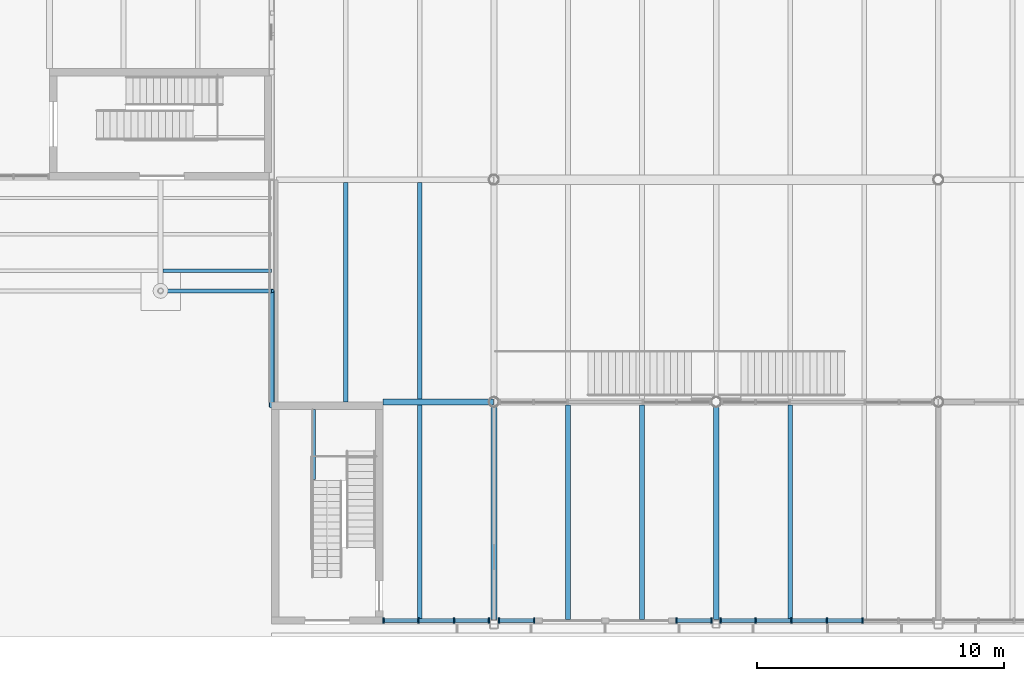
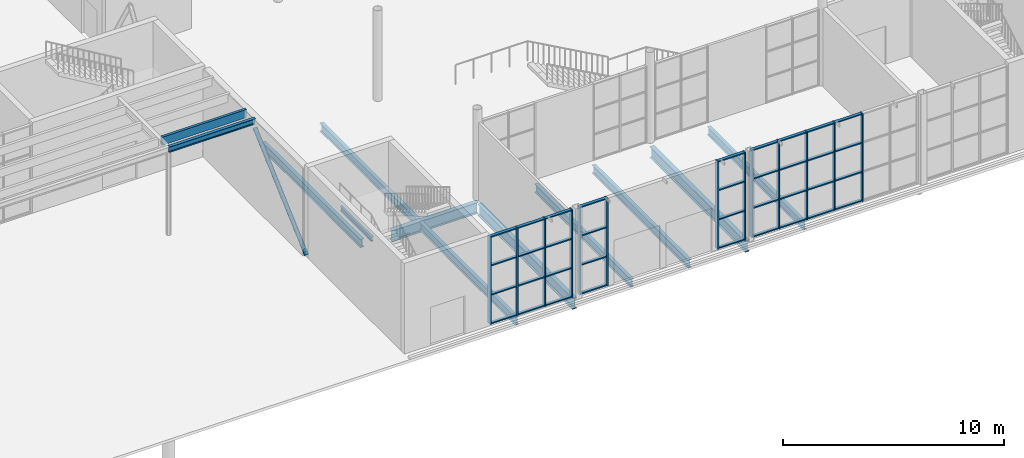
# One storey, part 20 of 63: 50 members, 12 beams, 4 elements without a shape of their own.
"""IFC4 building model written with IfcOpenShell, lengths in metres."""

from ifc_helpers import new_model, si_unit, direction, frame, origin, origin_2d, place, context, subcontext, project, spatial, rectangle, hollow_circle, i_section, extrude, material, layer, layer_set, material_profile, profile_set, type_object, element, aggregate, save


model = new_model("IFC4")

# Units and contexts
model_context = context("Model", 3, precision=1e-05, world=origin(), true_north=direction((0.0, 1.0)))
body_context = subcontext(model_context, "Body", "Model", "MODEL_VIEW")
ifc_project = project(units=[si_unit("LENGTHUNIT", "METRE"), si_unit("AREAUNIT", "SQUARE_METRE"), si_unit("VOLUMEUNIT", "CUBIC_METRE"), si_unit("PLANEANGLEUNIT", "RADIAN"), si_unit("MASSUNIT", "GRAM", prefix="KILO")], contexts=[model_context])

# Site, building, storey
site_placement = place(None, origin())
site = spatial("IfcSite", under=ifc_project, at=site_placement, CompositionType="ELEMENT")
building_placement = place(site_placement, origin())
building = spatial("IfcBuilding", under=site, at=building_placement, Name="Halyard Row Museum", CompositionType="ELEMENT")
storey_placement = place(building_placement, origin())
storey = spatial("IfcBuildingStorey", under=building, at=storey_placement, Name="L00", CompositionType="ELEMENT", Elevation=0.0)

# Member
ifc_material_1 = material(Name="Steel Grade C350L0", Category="steel")
ifc_material_profile_1 = material_profile(ifc_material_1, hollow_circle(Radius=0.109619140625, WallThickness=0.00830078125, at=origin_2d()), Name="219.1x8.2CHS")
ifc_profile_set_1 = profile_set([ifc_material_profile_1], Name="Steel Grade C350L0")
member_type_1 = type_object("IfcMemberType", Name="Brace 219.1x8.2CHS", PredefinedType="BRACE", material=ifc_profile_set_1)
member_1_placement = place(storey_placement, frame((72.0, 8.830078125, 0.109619140625), z_axis=(0.0, 0.744148559148, 0.668014162962), x_axis=(-1.0, 0.0, 0.0)))
element("IfcMember", 1, at=member_1_placement, inside=storey, type_object=member_type_1, Name="Brace L00 X72 9-18 A", PredefinedType="BRACE", context=body_context, shape_type="SweptSolid", body=[
    extrude(hollow_circle(Radius=0.109619140625, WallThickness=0.00830078125, at=origin_2d()), origin(), (0.0, 0.0, 1.0), 6.275634765625),
])

# Beams
ifc_material_2 = material(Name="Steel Grade 300", Category="steel")
ifc_material_profile_2 = material_profile(ifc_material_2, i_section(OverallWidth=0.166015625, OverallDepth=0.30712890625, WebThickness=0.006591796875, FlangeThickness=0.01171875, FilletRadius=0.011474609375, at=origin_2d()), Name="310UB46.2")
ifc_profile_set_2 = profile_set([ifc_material_profile_2], Name="Steel Grade 300")
beam_type_1 = type_object("IfcBeamType", Name="Canopy edge beam 310UB46.2", PredefinedType="BEAM", material=ifc_profile_set_2)
beam_1_placement = place(storey_placement, frame((67.5, 13.5, 4.6962890625), z_axis=(1.0, 0.0, 0.0), x_axis=(0.0, 1.0, 0.0)))
element("IfcBeam", 2, at=beam_1_placement, inside=storey, type_object=beam_type_1, Name="Canopy edge beam 6", PredefinedType="BEAM", context=body_context, shape_type="SweptSolid", body=[
    extrude(i_section(OverallWidth=0.166015625, OverallDepth=0.30712890625, WebThickness=0.006591796875, FlangeThickness=0.01171875, FilletRadius=0.011474609375, at=origin_2d()), origin(), (0.0, 0.0, 1.0), 4.5),
])
ifc_material_3 = material(Name="Glulam GL12 radiata pine", Category="wood")
ifc_material_profile_3 = material_profile(ifc_material_3, rectangle(XDim=0.135009765625, YDim=0.449951171875, at=origin_2d()), Name="GL12 135x450")
ifc_profile_set_3 = profile_set([ifc_material_profile_3], Name="Glulam GL12 radiata pine")
beam_type_2 = type_object("IfcBeamType", Name="Canopy soffit joist GL12 135x450", PredefinedType="JOIST", material=ifc_profile_set_3)
beam_2_placement = place(storey_placement, frame((67.594970703125, 14.319091796875, 4.625), z_axis=(1.0, 0.0, 0.0), x_axis=(0.0, 1.0, 0.0)))
element("IfcBeam", 3, at=beam_2_placement, inside=storey, type_object=beam_type_2, Name="Canopy soffit joist 6.1", PredefinedType="JOIST", context=body_context, shape_type="SweptSolid", body=[
    extrude(rectangle(XDim=0.135009765625, YDim=0.449951171875, at=origin_2d()), origin(), (0.0, 0.0, 1.0), 4.405029296875),
])

# Curtain wall, members
ifc_material_4 = material(Name="Double glazed unit, low-emissivity", Category="glass")
ifc_layer = layer(ifc_material_4, 0.219970703125)
ifc_layer_set = layer_set([ifc_layer], Name="Double glazed unit, low-emissivity")
curtain_wall_type = type_object("IfcCurtainWallType", Name="Curtain wall unitised 220 deep", PredefinedType="NOTDEFINED", material=ifc_layer_set)
curtain_wall_1_placement = place(storey_placement, origin())
curtain_wall_1 = element("IfcCurtainWall", 4, at=curtain_wall_1_placement, inside=storey, type_object=curtain_wall_type, Name="Curtain wall CW001", PredefinedType="NOTDEFINED")
ifc_material_5 = material(Name="Powder-coated aluminium section", Category="aluminium")
ifc_material_profile_4 = material_profile(ifc_material_5, rectangle(XDim=0.219970703125, YDim=0.06005859375, at=origin_2d()), Name="220x60 mullion")
ifc_profile_set_4 = profile_set([ifc_material_profile_4], Name="Powder-coated aluminium section")
member_type_2 = type_object("IfcMemberType", Name="Curtain wall mullion CM3 60 x 220", PredefinedType="MULLION", material=ifc_profile_set_4)
member_2_placement = place(storey_placement, frame((76.530029296875, 0.159912109375, 0.0), z_axis=(0.0, 0.0, 1.0), x_axis=(0.0, 1.0, 0.0)))
member_2 = element("IfcMember", 5, at=member_2_placement, type_object=member_type_2, Name="CW001 mullion 1", PredefinedType="MULLION", context=body_context, shape_type="SweptSolid", body=[
    extrude(rectangle(XDim=0.219970703125, YDim=0.06005859375, at=origin_2d()), origin(), (0.0, 0.0, 1.0), 4.8349609375),
])
member_3_placement = place(storey_placement, frame((77.941650390625, 0.159912109375, 0.0), z_axis=(0.0, 0.0, 1.0), x_axis=(0.0, 1.0, 0.0)))
member_3 = element("IfcMember", 6, at=member_3_placement, type_object=member_type_2, Name="CW001 mullion 2", PredefinedType="MULLION", context=body_context, shape_type="SweptSolid", body=[
    extrude(rectangle(XDim=0.219970703125, YDim=0.06005859375, at=origin_2d()), origin(), (0.0, 0.0, 1.0), 4.8349609375),
])
member_4_placement = place(storey_placement, frame((79.38330078125, 0.159912109375, 0.0), z_axis=(0.0, 0.0, 1.0), x_axis=(0.0, 1.0, 0.0)))
member_4 = element("IfcMember", 7, at=member_4_placement, type_object=member_type_2, Name="CW001 mullion 3", PredefinedType="MULLION", context=body_context, shape_type="SweptSolid", body=[
    extrude(rectangle(XDim=0.219970703125, YDim=0.06005859375, at=origin_2d()), origin(), (0.0, 0.0, 1.0), 4.8349609375),
])
member_5_placement = place(storey_placement, frame((80.794921875, 0.159912109375, 0.0), z_axis=(0.0, 0.0, 1.0), x_axis=(0.0, 1.0, 0.0)))
member_5 = element("IfcMember", 8, at=member_5_placement, type_object=member_type_2, Name="CW001 mullion 4", PredefinedType="MULLION", context=body_context, shape_type="SweptSolid", body=[
    extrude(rectangle(XDim=0.219970703125, YDim=0.06005859375, at=origin_2d()), origin(), (0.0, 0.0, 1.0), 4.8349609375),
])

curtain_wall_2_placement = place(storey_placement, origin())
curtain_wall_2 = element("IfcCurtainWall", 9, at=curtain_wall_2_placement, inside=storey, type_object=curtain_wall_type, Name="Curtain wall CW002", PredefinedType="NOTDEFINED")
member_6_placement = place(storey_placement, frame((81.205078125, 0.159912109375, 0.0), z_axis=(0.0, 0.0, 1.0), x_axis=(0.0, 1.0, 0.0)))
member_6 = element("IfcMember", 10, at=member_6_placement, type_object=member_type_2, Name="CW002 mullion 1", PredefinedType="MULLION", context=body_context, shape_type="SweptSolid", body=[
    extrude(rectangle(XDim=0.219970703125, YDim=0.06005859375, at=origin_2d()), origin(), (0.0, 0.0, 1.0), 4.8349609375),
])
member_7_placement = place(storey_placement, frame((82.632568359375, 0.159912109375, 0.0), z_axis=(0.0, 0.0, 1.0), x_axis=(0.0, 1.0, 0.0)))
member_7 = element("IfcMember", 11, at=member_7_placement, type_object=member_type_2, Name="CW002 mullion 2", PredefinedType="MULLION", context=body_context, shape_type="SweptSolid", body=[
    extrude(rectangle(XDim=0.219970703125, YDim=0.06005859375, at=origin_2d()), origin(), (0.0, 0.0, 1.0), 4.8349609375),
])

curtain_wall_3_placement = place(storey_placement, origin())
curtain_wall_3 = element("IfcCurtainWall", 12, at=curtain_wall_3_placement, inside=storey, type_object=curtain_wall_type, Name="Curtain wall CW003", PredefinedType="NOTDEFINED")
member_8_placement = place(storey_placement, frame((88.392578125, 0.159912109375, 0.0), z_axis=(0.0, 0.0, 1.0), x_axis=(0.0, 1.0, 0.0)))
member_8 = element("IfcMember", 13, at=member_8_placement, type_object=member_type_2, Name="CW003 mullion 1", PredefinedType="MULLION", context=body_context, shape_type="SweptSolid", body=[
    extrude(rectangle(XDim=0.219970703125, YDim=0.06005859375, at=origin_2d()), origin(), (0.0, 0.0, 1.0), 4.8349609375),
])
member_9_placement = place(storey_placement, frame((89.820068359375, 0.159912109375, 0.0), z_axis=(0.0, 0.0, 1.0), x_axis=(0.0, 1.0, 0.0)))
member_9 = element("IfcMember", 14, at=member_9_placement, type_object=member_type_2, Name="CW003 mullion 2", PredefinedType="MULLION", context=body_context, shape_type="SweptSolid", body=[
    extrude(rectangle(XDim=0.219970703125, YDim=0.06005859375, at=origin_2d()), origin(), (0.0, 0.0, 1.0), 4.8349609375),
])

curtain_wall_4_placement = place(storey_placement, origin())
curtain_wall_4 = element("IfcCurtainWall", 15, at=curtain_wall_4_placement, inside=storey, type_object=curtain_wall_type, Name="Curtain wall CW004", PredefinedType="NOTDEFINED")
member_10_placement = place(storey_placement, frame((90.179931640625, 0.159912109375, 0.0), z_axis=(0.0, 0.0, 1.0), x_axis=(0.0, 1.0, 0.0)))
member_10 = element("IfcMember", 16, at=member_10_placement, type_object=member_type_2, Name="CW004 mullion 1", PredefinedType="MULLION", context=body_context, shape_type="SweptSolid", body=[
    extrude(rectangle(XDim=0.219970703125, YDim=0.06005859375, at=origin_2d()), origin(), (0.0, 0.0, 1.0), 4.8349609375),
])
member_11_placement = place(storey_placement, frame((91.595947265625, 0.159912109375, 0.0), z_axis=(0.0, 0.0, 1.0), x_axis=(0.0, 1.0, 0.0)))
member_11 = element("IfcMember", 17, at=member_11_placement, type_object=member_type_2, Name="CW004 mullion 2", PredefinedType="MULLION", context=body_context, shape_type="SweptSolid", body=[
    extrude(rectangle(XDim=0.219970703125, YDim=0.06005859375, at=origin_2d()), origin(), (0.0, 0.0, 1.0), 4.8349609375),
])
member_12_placement = place(storey_placement, frame((93.041748046875, 0.159912109375, 0.0), z_axis=(0.0, 0.0, 1.0), x_axis=(0.0, 1.0, 0.0)))
member_12 = element("IfcMember", 18, at=member_12_placement, type_object=member_type_2, Name="CW004 mullion 3", PredefinedType="MULLION", context=body_context, shape_type="SweptSolid", body=[
    extrude(rectangle(XDim=0.219970703125, YDim=0.06005859375, at=origin_2d()), origin(), (0.0, 0.0, 1.0), 4.8349609375),
])
member_13_placement = place(storey_placement, frame((94.487548828125, 0.159912109375, 0.0), z_axis=(0.0, 0.0, 1.0), x_axis=(0.0, 1.0, 0.0)))
member_13 = element("IfcMember", 19, at=member_13_placement, type_object=member_type_2, Name="CW004 mullion 4", PredefinedType="MULLION", context=body_context, shape_type="SweptSolid", body=[
    extrude(rectangle(XDim=0.219970703125, YDim=0.06005859375, at=origin_2d()), origin(), (0.0, 0.0, 1.0), 4.8349609375),
])
member_14_placement = place(storey_placement, frame((95.933349609375, 0.159912109375, 0.0), z_axis=(0.0, 0.0, 1.0), x_axis=(0.0, 1.0, 0.0)))
member_14 = element("IfcMember", 20, at=member_14_placement, type_object=member_type_2, Name="CW004 mullion 5", PredefinedType="MULLION", context=body_context, shape_type="SweptSolid", body=[
    extrude(rectangle(XDim=0.219970703125, YDim=0.06005859375, at=origin_2d()), origin(), (0.0, 0.0, 1.0), 4.8349609375),
])

# Member
ifc_material_6 = material(Name="Powder-coated aluminium section", Category="aluminium")
ifc_material_profile_5 = material_profile(ifc_material_6, rectangle(XDim=0.159912109375, YDim=0.06005859375, at=origin_2d()), Name="160x60 transom")
ifc_profile_set_5 = profile_set([ifc_material_profile_5], Name="Powder-coated aluminium section")
member_type_3 = type_object("IfcMemberType", Name="Curtain wall transom CT3 60 x 160", PredefinedType="USERDEFINED", material=ifc_profile_set_5)
member_15_placement = place(storey_placement, frame((76.56005859375, 0.159912109375, 0.030029296875), z_axis=(1.0, 0.0, 0.0), x_axis=(0.0, 1.0, 0.0)))
member_15 = element("IfcMember", 21, at=member_15_placement, type_object=member_type_3, Name="CW001 transom 1.1", ObjectType="TRANSOM", PredefinedType="USERDEFINED", context=body_context, shape_type="SweptSolid", body=[
    extrude(rectangle(XDim=0.159912109375, YDim=0.06005859375, at=origin_2d()), origin(), (0.0, 0.0, 1.0), 1.3515625),
])

member_16_placement = place(storey_placement, frame((76.56005859375, 0.159912109375, 1.611572265625), z_axis=(1.0, 0.0, 0.0), x_axis=(0.0, 1.0, 0.0)))
member_16 = element("IfcMember", 22, at=member_16_placement, type_object=member_type_3, Name="CW001 transom 1.2", ObjectType="TRANSOM", PredefinedType="USERDEFINED", context=body_context, shape_type="SweptSolid", body=[
    extrude(rectangle(XDim=0.159912109375, YDim=0.06005859375, at=origin_2d()), origin(), (0.0, 0.0, 1.0), 1.3515625),
])

member_17_placement = place(storey_placement, frame((76.56005859375, 0.159912109375, 3.223388671875), z_axis=(1.0, 0.0, 0.0), x_axis=(0.0, 1.0, 0.0)))
member_17 = element("IfcMember", 23, at=member_17_placement, type_object=member_type_3, Name="CW001 transom 1.3", ObjectType="TRANSOM", PredefinedType="USERDEFINED", context=body_context, shape_type="SweptSolid", body=[
    extrude(rectangle(XDim=0.159912109375, YDim=0.06005859375, at=origin_2d()), origin(), (0.0, 0.0, 1.0), 1.3515625),
])

member_18_placement = place(storey_placement, frame((76.56005859375, 0.159912109375, 4.804931640625), z_axis=(1.0, 0.0, 0.0), x_axis=(0.0, 1.0, 0.0)))
member_18 = element("IfcMember", 24, at=member_18_placement, type_object=member_type_3, Name="CW001 transom 1.4", ObjectType="TRANSOM", PredefinedType="USERDEFINED", context=body_context, shape_type="SweptSolid", body=[
    extrude(rectangle(XDim=0.159912109375, YDim=0.06005859375, at=origin_2d()), origin(), (0.0, 0.0, 1.0), 1.3515625),
])

member_19_placement = place(storey_placement, frame((77.9716796875, 0.159912109375, 0.030029296875), z_axis=(1.0, 0.0, 0.0), x_axis=(0.0, 1.0, 0.0)))
member_19 = element("IfcMember", 25, at=member_19_placement, type_object=member_type_3, Name="CW001 transom 2.1", ObjectType="TRANSOM", PredefinedType="USERDEFINED", context=body_context, shape_type="SweptSolid", body=[
    extrude(rectangle(XDim=0.159912109375, YDim=0.06005859375, at=origin_2d()), origin(), (0.0, 0.0, 1.0), 1.381591796875),
])

member_20_placement = place(storey_placement, frame((77.9716796875, 0.159912109375, 1.611572265625), z_axis=(1.0, 0.0, 0.0), x_axis=(0.0, 1.0, 0.0)))
member_20 = element("IfcMember", 26, at=member_20_placement, type_object=member_type_3, Name="CW001 transom 2.2", ObjectType="TRANSOM", PredefinedType="USERDEFINED", context=body_context, shape_type="SweptSolid", body=[
    extrude(rectangle(XDim=0.159912109375, YDim=0.06005859375, at=origin_2d()), origin(), (0.0, 0.0, 1.0), 1.381591796875),
])

member_21_placement = place(storey_placement, frame((77.9716796875, 0.159912109375, 3.223388671875), z_axis=(1.0, 0.0, 0.0), x_axis=(0.0, 1.0, 0.0)))
member_21 = element("IfcMember", 27, at=member_21_placement, type_object=member_type_3, Name="CW001 transom 2.3", ObjectType="TRANSOM", PredefinedType="USERDEFINED", context=body_context, shape_type="SweptSolid", body=[
    extrude(rectangle(XDim=0.159912109375, YDim=0.06005859375, at=origin_2d()), origin(), (0.0, 0.0, 1.0), 1.381591796875),
])

member_22_placement = place(storey_placement, frame((77.9716796875, 0.159912109375, 4.804931640625), z_axis=(1.0, 0.0, 0.0), x_axis=(0.0, 1.0, 0.0)))
member_22 = element("IfcMember", 28, at=member_22_placement, type_object=member_type_3, Name="CW001 transom 2.4", ObjectType="TRANSOM", PredefinedType="USERDEFINED", context=body_context, shape_type="SweptSolid", body=[
    extrude(rectangle(XDim=0.159912109375, YDim=0.06005859375, at=origin_2d()), origin(), (0.0, 0.0, 1.0), 1.381591796875),
])

member_23_placement = place(storey_placement, frame((79.413330078125, 0.159912109375, 0.030029296875), z_axis=(1.0, 0.0, 0.0), x_axis=(0.0, 1.0, 0.0)))
member_23 = element("IfcMember", 29, at=member_23_placement, type_object=member_type_3, Name="CW001 transom 3.1", ObjectType="TRANSOM", PredefinedType="USERDEFINED", context=body_context, shape_type="SweptSolid", body=[
    extrude(rectangle(XDim=0.159912109375, YDim=0.06005859375, at=origin_2d()), origin(), (0.0, 0.0, 1.0), 1.3515625),
])

member_24_placement = place(storey_placement, frame((79.413330078125, 0.159912109375, 1.611572265625), z_axis=(1.0, 0.0, 0.0), x_axis=(0.0, 1.0, 0.0)))
member_24 = element("IfcMember", 30, at=member_24_placement, type_object=member_type_3, Name="CW001 transom 3.2", ObjectType="TRANSOM", PredefinedType="USERDEFINED", context=body_context, shape_type="SweptSolid", body=[
    extrude(rectangle(XDim=0.159912109375, YDim=0.06005859375, at=origin_2d()), origin(), (0.0, 0.0, 1.0), 1.3515625),
])

member_25_placement = place(storey_placement, frame((79.413330078125, 0.159912109375, 3.223388671875), z_axis=(1.0, 0.0, 0.0), x_axis=(0.0, 1.0, 0.0)))
member_25 = element("IfcMember", 31, at=member_25_placement, type_object=member_type_3, Name="CW001 transom 3.3", ObjectType="TRANSOM", PredefinedType="USERDEFINED", context=body_context, shape_type="SweptSolid", body=[
    extrude(rectangle(XDim=0.159912109375, YDim=0.06005859375, at=origin_2d()), origin(), (0.0, 0.0, 1.0), 1.3515625),
])

member_26_placement = place(storey_placement, frame((79.413330078125, 0.159912109375, 4.804931640625), z_axis=(1.0, 0.0, 0.0), x_axis=(0.0, 1.0, 0.0)))
member_26 = element("IfcMember", 32, at=member_26_placement, type_object=member_type_3, Name="CW001 transom 3.4", ObjectType="TRANSOM", PredefinedType="USERDEFINED", context=body_context, shape_type="SweptSolid", body=[
    extrude(rectangle(XDim=0.159912109375, YDim=0.06005859375, at=origin_2d()), origin(), (0.0, 0.0, 1.0), 1.3515625),
])

aggregate(curtain_wall_1, [member_2, member_3, member_4, member_5, member_15, member_16, member_17, member_18, member_19, member_20, member_21, member_22, member_23, member_24, member_25, member_26])

member_27_placement = place(storey_placement, frame((81.235107421875, 0.159912109375, 0.030029296875), z_axis=(1.0, 0.0, 0.0), x_axis=(0.0, 1.0, 0.0)))
member_27 = element("IfcMember", 33, at=member_27_placement, type_object=member_type_3, Name="CW002 transom 1.1", ObjectType="TRANSOM", PredefinedType="USERDEFINED", context=body_context, shape_type="SweptSolid", body=[
    extrude(rectangle(XDim=0.159912109375, YDim=0.06005859375, at=origin_2d()), origin(), (0.0, 0.0, 1.0), 1.367431640625),
])

member_28_placement = place(storey_placement, frame((81.235107421875, 0.159912109375, 1.611572265625), z_axis=(1.0, 0.0, 0.0), x_axis=(0.0, 1.0, 0.0)))
member_28 = element("IfcMember", 34, at=member_28_placement, type_object=member_type_3, Name="CW002 transom 1.2", ObjectType="TRANSOM", PredefinedType="USERDEFINED", context=body_context, shape_type="SweptSolid", body=[
    extrude(rectangle(XDim=0.159912109375, YDim=0.06005859375, at=origin_2d()), origin(), (0.0, 0.0, 1.0), 1.367431640625),
])

member_29_placement = place(storey_placement, frame((81.235107421875, 0.159912109375, 3.223388671875), z_axis=(1.0, 0.0, 0.0), x_axis=(0.0, 1.0, 0.0)))
member_29 = element("IfcMember", 35, at=member_29_placement, type_object=member_type_3, Name="CW002 transom 1.3", ObjectType="TRANSOM", PredefinedType="USERDEFINED", context=body_context, shape_type="SweptSolid", body=[
    extrude(rectangle(XDim=0.159912109375, YDim=0.06005859375, at=origin_2d()), origin(), (0.0, 0.0, 1.0), 1.367431640625),
])

member_30_placement = place(storey_placement, frame((81.235107421875, 0.159912109375, 4.804931640625), z_axis=(1.0, 0.0, 0.0), x_axis=(0.0, 1.0, 0.0)))
member_30 = element("IfcMember", 36, at=member_30_placement, type_object=member_type_3, Name="CW002 transom 1.4", ObjectType="TRANSOM", PredefinedType="USERDEFINED", context=body_context, shape_type="SweptSolid", body=[
    extrude(rectangle(XDim=0.159912109375, YDim=0.06005859375, at=origin_2d()), origin(), (0.0, 0.0, 1.0), 1.367431640625),
])

aggregate(curtain_wall_2, [member_6, member_7, member_27, member_28, member_29, member_30])

member_31_placement = place(storey_placement, frame((88.422607421875, 0.159912109375, 0.030029296875), z_axis=(1.0, 0.0, 0.0), x_axis=(0.0, 1.0, 0.0)))
member_31 = element("IfcMember", 37, at=member_31_placement, type_object=member_type_3, Name="CW003 transom 1.1", ObjectType="TRANSOM", PredefinedType="USERDEFINED", context=body_context, shape_type="SweptSolid", body=[
    extrude(rectangle(XDim=0.159912109375, YDim=0.06005859375, at=origin_2d()), origin(), (0.0, 0.0, 1.0), 1.367431640625),
])

member_32_placement = place(storey_placement, frame((88.422607421875, 0.159912109375, 1.611572265625), z_axis=(1.0, 0.0, 0.0), x_axis=(0.0, 1.0, 0.0)))
member_32 = element("IfcMember", 38, at=member_32_placement, type_object=member_type_3, Name="CW003 transom 1.2", ObjectType="TRANSOM", PredefinedType="USERDEFINED", context=body_context, shape_type="SweptSolid", body=[
    extrude(rectangle(XDim=0.159912109375, YDim=0.06005859375, at=origin_2d()), origin(), (0.0, 0.0, 1.0), 1.367431640625),
])

member_33_placement = place(storey_placement, frame((88.422607421875, 0.159912109375, 3.223388671875), z_axis=(1.0, 0.0, 0.0), x_axis=(0.0, 1.0, 0.0)))
member_33 = element("IfcMember", 39, at=member_33_placement, type_object=member_type_3, Name="CW003 transom 1.3", ObjectType="TRANSOM", PredefinedType="USERDEFINED", context=body_context, shape_type="SweptSolid", body=[
    extrude(rectangle(XDim=0.159912109375, YDim=0.06005859375, at=origin_2d()), origin(), (0.0, 0.0, 1.0), 1.367431640625),
])

member_34_placement = place(storey_placement, frame((88.422607421875, 0.159912109375, 4.804931640625), z_axis=(1.0, 0.0, 0.0), x_axis=(0.0, 1.0, 0.0)))
member_34 = element("IfcMember", 40, at=member_34_placement, type_object=member_type_3, Name="CW003 transom 1.4", ObjectType="TRANSOM", PredefinedType="USERDEFINED", context=body_context, shape_type="SweptSolid", body=[
    extrude(rectangle(XDim=0.159912109375, YDim=0.06005859375, at=origin_2d()), origin(), (0.0, 0.0, 1.0), 1.367431640625),
])

aggregate(curtain_wall_3, [member_8, member_9, member_31, member_32, member_33, member_34])

member_35_placement = place(storey_placement, frame((90.2099609375, 0.159912109375, 0.030029296875), z_axis=(1.0, 0.0, 0.0), x_axis=(0.0, 1.0, 0.0)))
member_35 = element("IfcMember", 41, at=member_35_placement, type_object=member_type_3, Name="CW004 transom 1.1", ObjectType="TRANSOM", PredefinedType="USERDEFINED", context=body_context, shape_type="SweptSolid", body=[
    extrude(rectangle(XDim=0.159912109375, YDim=0.06005859375, at=origin_2d()), origin(), (0.0, 0.0, 1.0), 1.35595703125),
])

member_36_placement = place(storey_placement, frame((90.2099609375, 0.159912109375, 1.611572265625), z_axis=(1.0, 0.0, 0.0), x_axis=(0.0, 1.0, 0.0)))
member_36 = element("IfcMember", 42, at=member_36_placement, type_object=member_type_3, Name="CW004 transom 1.2", ObjectType="TRANSOM", PredefinedType="USERDEFINED", context=body_context, shape_type="SweptSolid", body=[
    extrude(rectangle(XDim=0.159912109375, YDim=0.06005859375, at=origin_2d()), origin(), (0.0, 0.0, 1.0), 1.35595703125),
])

member_37_placement = place(storey_placement, frame((90.2099609375, 0.159912109375, 3.223388671875), z_axis=(1.0, 0.0, 0.0), x_axis=(0.0, 1.0, 0.0)))
member_37 = element("IfcMember", 43, at=member_37_placement, type_object=member_type_3, Name="CW004 transom 1.3", ObjectType="TRANSOM", PredefinedType="USERDEFINED", context=body_context, shape_type="SweptSolid", body=[
    extrude(rectangle(XDim=0.159912109375, YDim=0.06005859375, at=origin_2d()), origin(), (0.0, 0.0, 1.0), 1.35595703125),
])

member_38_placement = place(storey_placement, frame((90.2099609375, 0.159912109375, 4.804931640625), z_axis=(1.0, 0.0, 0.0), x_axis=(0.0, 1.0, 0.0)))
member_38 = element("IfcMember", 44, at=member_38_placement, type_object=member_type_3, Name="CW004 transom 1.4", ObjectType="TRANSOM", PredefinedType="USERDEFINED", context=body_context, shape_type="SweptSolid", body=[
    extrude(rectangle(XDim=0.159912109375, YDim=0.06005859375, at=origin_2d()), origin(), (0.0, 0.0, 1.0), 1.35595703125),
])

member_39_placement = place(storey_placement, frame((91.625732421875, 0.159912109375, 0.030029296875), z_axis=(1.0, 0.0, 0.0), x_axis=(0.0, 1.0, 0.0)))
member_39 = element("IfcMember", 45, at=member_39_placement, type_object=member_type_3, Name="CW004 transom 2.1", ObjectType="TRANSOM", PredefinedType="USERDEFINED", context=body_context, shape_type="SweptSolid", body=[
    extrude(rectangle(XDim=0.159912109375, YDim=0.06005859375, at=origin_2d()), origin(), (0.0, 0.0, 1.0), 1.385986328125),
])

member_40_placement = place(storey_placement, frame((91.625732421875, 0.159912109375, 1.611572265625), z_axis=(1.0, 0.0, 0.0), x_axis=(0.0, 1.0, 0.0)))
member_40 = element("IfcMember", 46, at=member_40_placement, type_object=member_type_3, Name="CW004 transom 2.2", ObjectType="TRANSOM", PredefinedType="USERDEFINED", context=body_context, shape_type="SweptSolid", body=[
    extrude(rectangle(XDim=0.159912109375, YDim=0.06005859375, at=origin_2d()), origin(), (0.0, 0.0, 1.0), 1.385986328125),
])

member_41_placement = place(storey_placement, frame((91.625732421875, 0.159912109375, 3.223388671875), z_axis=(1.0, 0.0, 0.0), x_axis=(0.0, 1.0, 0.0)))
member_41 = element("IfcMember", 47, at=member_41_placement, type_object=member_type_3, Name="CW004 transom 2.3", ObjectType="TRANSOM", PredefinedType="USERDEFINED", context=body_context, shape_type="SweptSolid", body=[
    extrude(rectangle(XDim=0.159912109375, YDim=0.06005859375, at=origin_2d()), origin(), (0.0, 0.0, 1.0), 1.385986328125),
])

member_42_placement = place(storey_placement, frame((91.625732421875, 0.159912109375, 4.804931640625), z_axis=(1.0, 0.0, 0.0), x_axis=(0.0, 1.0, 0.0)))
member_42 = element("IfcMember", 48, at=member_42_placement, type_object=member_type_3, Name="CW004 transom 2.4", ObjectType="TRANSOM", PredefinedType="USERDEFINED", context=body_context, shape_type="SweptSolid", body=[
    extrude(rectangle(XDim=0.159912109375, YDim=0.06005859375, at=origin_2d()), origin(), (0.0, 0.0, 1.0), 1.385986328125),
])

member_43_placement = place(storey_placement, frame((93.07177734375, 0.159912109375, 0.030029296875), z_axis=(1.0, 0.0, 0.0), x_axis=(0.0, 1.0, 0.0)))
member_43 = element("IfcMember", 49, at=member_43_placement, type_object=member_type_3, Name="CW004 transom 3.1", ObjectType="TRANSOM", PredefinedType="USERDEFINED", context=body_context, shape_type="SweptSolid", body=[
    extrude(rectangle(XDim=0.159912109375, YDim=0.06005859375, at=origin_2d()), origin(), (0.0, 0.0, 1.0), 1.3857421875),
])

member_44_placement = place(storey_placement, frame((93.07177734375, 0.159912109375, 1.611572265625), z_axis=(1.0, 0.0, 0.0), x_axis=(0.0, 1.0, 0.0)))
member_44 = element("IfcMember", 50, at=member_44_placement, type_object=member_type_3, Name="CW004 transom 3.2", ObjectType="TRANSOM", PredefinedType="USERDEFINED", context=body_context, shape_type="SweptSolid", body=[
    extrude(rectangle(XDim=0.159912109375, YDim=0.06005859375, at=origin_2d()), origin(), (0.0, 0.0, 1.0), 1.3857421875),
])

member_45_placement = place(storey_placement, frame((93.07177734375, 0.159912109375, 3.223388671875), z_axis=(1.0, 0.0, 0.0), x_axis=(0.0, 1.0, 0.0)))
member_45 = element("IfcMember", 51, at=member_45_placement, type_object=member_type_3, Name="CW004 transom 3.3", ObjectType="TRANSOM", PredefinedType="USERDEFINED", context=body_context, shape_type="SweptSolid", body=[
    extrude(rectangle(XDim=0.159912109375, YDim=0.06005859375, at=origin_2d()), origin(), (0.0, 0.0, 1.0), 1.3857421875),
])

member_46_placement = place(storey_placement, frame((93.07177734375, 0.159912109375, 4.804931640625), z_axis=(1.0, 0.0, 0.0), x_axis=(0.0, 1.0, 0.0)))
member_46 = element("IfcMember", 52, at=member_46_placement, type_object=member_type_3, Name="CW004 transom 3.4", ObjectType="TRANSOM", PredefinedType="USERDEFINED", context=body_context, shape_type="SweptSolid", body=[
    extrude(rectangle(XDim=0.159912109375, YDim=0.06005859375, at=origin_2d()), origin(), (0.0, 0.0, 1.0), 1.3857421875),
])

member_47_placement = place(storey_placement, frame((94.517578125, 0.159912109375, 0.030029296875), z_axis=(1.0, 0.0, 0.0), x_axis=(0.0, 1.0, 0.0)))
member_47 = element("IfcMember", 53, at=member_47_placement, type_object=member_type_3, Name="CW004 transom 4.1", ObjectType="TRANSOM", PredefinedType="USERDEFINED", context=body_context, shape_type="SweptSolid", body=[
    extrude(rectangle(XDim=0.159912109375, YDim=0.06005859375, at=origin_2d()), origin(), (0.0, 0.0, 1.0), 1.3857421875),
])

member_48_placement = place(storey_placement, frame((94.517578125, 0.159912109375, 1.611572265625), z_axis=(1.0, 0.0, 0.0), x_axis=(0.0, 1.0, 0.0)))
member_48 = element("IfcMember", 54, at=member_48_placement, type_object=member_type_3, Name="CW004 transom 4.2", ObjectType="TRANSOM", PredefinedType="USERDEFINED", context=body_context, shape_type="SweptSolid", body=[
    extrude(rectangle(XDim=0.159912109375, YDim=0.06005859375, at=origin_2d()), origin(), (0.0, 0.0, 1.0), 1.3857421875),
])

member_49_placement = place(storey_placement, frame((94.517578125, 0.159912109375, 3.223388671875), z_axis=(1.0, 0.0, 0.0), x_axis=(0.0, 1.0, 0.0)))
member_49 = element("IfcMember", 55, at=member_49_placement, type_object=member_type_3, Name="CW004 transom 4.3", ObjectType="TRANSOM", PredefinedType="USERDEFINED", context=body_context, shape_type="SweptSolid", body=[
    extrude(rectangle(XDim=0.159912109375, YDim=0.06005859375, at=origin_2d()), origin(), (0.0, 0.0, 1.0), 1.3857421875),
])

member_50_placement = place(storey_placement, frame((94.517578125, 0.159912109375, 4.804931640625), z_axis=(1.0, 0.0, 0.0), x_axis=(0.0, 1.0, 0.0)))
member_50 = element("IfcMember", 56, at=member_50_placement, type_object=member_type_3, Name="CW004 transom 4.4", ObjectType="TRANSOM", PredefinedType="USERDEFINED", context=body_context, shape_type="SweptSolid", body=[
    extrude(rectangle(XDim=0.159912109375, YDim=0.06005859375, at=origin_2d()), origin(), (0.0, 0.0, 1.0), 1.3857421875),
])

aggregate(curtain_wall_4, [member_10, member_11, member_12, member_13, member_14, member_35, member_36, member_37, member_38, member_39, member_40, member_41, member_42, member_43, member_44, member_45, member_46, member_47, member_48, member_49, member_50])

# Beams
ifc_material_7 = material(Name="Steel Grade 300", Category="steel")
ifc_material_profile_6 = material_profile(ifc_material_7, i_section(OverallWidth=0.22900390625, OverallDepth=0.611572265625, WebThickness=0.011962890625, FlangeThickness=0.01953125, FilletRadius=0.013916015625, at=origin_2d()), Name="610UB125")
ifc_profile_set_6 = profile_set([ifc_material_profile_6], Name="Steel Grade 300")
beam_type_3 = type_object("IfcBeamType", Name="Girder beam 610UB125", PredefinedType="BEAM", material=ifc_profile_set_6)
beam_3_placement = place(storey_placement, frame((76.5, 9.0, -0.470703125), z_axis=(1.0, 0.0, 0.0), x_axis=(0.0, 1.0, 0.0)))
element("IfcBeam", 57, at=beam_3_placement, inside=storey, type_object=beam_type_3, Name="Beam L00-004", PredefinedType="BEAM", context=body_context, shape_type="SweptSolid", body=[
    extrude(i_section(OverallWidth=0.22900390625, OverallDepth=0.611572265625, WebThickness=0.011962890625, FlangeThickness=0.01953125, FilletRadius=0.013916015625, at=origin_2d()), origin(), (0.0, 0.0, 1.0), 4.487548828125),
])
beam_4_placement = place(storey_placement, frame((81.0, 0.199951171875, -0.470703125), z_axis=(0.0, 1.0, 0.0), x_axis=(-1.0, 0.0, 0.0)))
element("IfcBeam", 58, at=beam_4_placement, inside=storey, type_object=beam_type_3, Name="Beam L00-061", PredefinedType="BEAM", context=body_context, shape_type="SweptSolid", body=[
    extrude(i_section(OverallWidth=0.22900390625, OverallDepth=0.611572265625, WebThickness=0.011962890625, FlangeThickness=0.01953125, FilletRadius=0.013916015625, at=origin_2d()), origin(), (0.0, 0.0, 1.0), 8.593017578125),
])
beam_5_placement = place(storey_placement, frame((90.0, 0.199951171875, -0.470703125), z_axis=(0.0, 1.0, 0.0), x_axis=(-1.0, 0.0, 0.0)))
element("IfcBeam", 59, at=beam_5_placement, inside=storey, type_object=beam_type_3, Name="Beam L00-066", PredefinedType="BEAM", context=body_context, shape_type="SweptSolid", body=[
    extrude(i_section(OverallWidth=0.22900390625, OverallDepth=0.611572265625, WebThickness=0.011962890625, FlangeThickness=0.01953125, FilletRadius=0.013916015625, at=origin_2d()), origin(), (0.0, 0.0, 1.0), 8.630615234375),
])
ifc_material_8 = material(Name="Steel Grade 300", Category="steel")
ifc_material_profile_7 = material_profile(ifc_material_8, i_section(OverallWidth=0.1240234375, OverallDepth=0.248046875, WebThickness=0.0048828125, FlangeThickness=0.008056640625, FilletRadius=0.011962890625, at=origin_2d()), Name="250UB25.7")
ifc_profile_set_7 = profile_set([ifc_material_profile_7], Name="Steel Grade 300")
beam_type_4 = type_object("IfcBeamType", Name="Landing trimmer 250UB25.7", PredefinedType="BEAM", material=ifc_profile_set_7)
beam_6_placement = place(storey_placement, frame((73.721923828125, 8.702880859375, 2.176025390625), z_axis=(0.0, -1.0, 0.0), x_axis=(1.0, 0.0, 0.0)))
element("IfcBeam", 60, at=beam_6_placement, inside=storey, type_object=beam_type_4, Name="Landing ledger K2A L00 1", PredefinedType="BEAM", context=body_context, shape_type="SweptSolid", body=[
    extrude(i_section(OverallWidth=0.1240234375, OverallDepth=0.248046875, WebThickness=0.0048828125, FlangeThickness=0.008056640625, FilletRadius=0.011962890625, at=origin_2d()), origin(), (0.0, 0.0, 1.0), 2.832763671875),
])
ifc_material_9 = material(Name="Steel Grade 300", Category="steel")
ifc_material_profile_8 = material_profile(ifc_material_9, i_section(OverallWidth=0.18994140625, OverallDepth=0.453857421875, WebThickness=0.008544921875, FlangeThickness=0.0126953125, FilletRadius=0.011474609375, at=origin_2d()), Name="460UB67.1")
ifc_profile_set_8 = profile_set([ifc_material_profile_8], Name="Steel Grade 300")
beam_type_5 = type_object("IfcBeamType", Name="Secondary beam 460UB67.1", PredefinedType="BEAM", material=ifc_profile_set_8)
for number, where, z_axis, x_axis, name in (
    (61, (78.0, 0.199951171875, -0.391845703125), (0.0, 1.0, 0.0), (-1.0, 0.0, 0.0), "Beam L00-083"),
    (62, (84.0, 0.199951171875, -0.391845703125), (0.0, 1.0, 0.0), (-1.0, 0.0, 0.0), "Beam L00-084"),
    (63, (87.0, 0.199951171875, -0.391845703125), (0.0, 1.0, 0.0), (-1.0, 0.0, 0.0), "Beam L00-085"),
    (64, (93.0, 0.199951171875, -0.391845703125), (0.0, 1.0, 0.0), (-1.0, 0.0, 0.0), "Beam L00-086"),
):
    element("IfcBeam", number, at=place(storey_placement, frame(where, z_axis=z_axis, x_axis=x_axis)), inside=storey, type_object=beam_type_5, Name=name, PredefinedType="BEAM", context=body_context, shape_type="SweptSolid", body=[
        extrude(i_section(OverallWidth=0.18994140625, OverallDepth=0.453857421875, WebThickness=0.008544921875, FlangeThickness=0.0126953125, FilletRadius=0.011474609375, at=origin_2d()), origin(), (0.0, 0.0, 1.0), 8.685546875),
    ])
beam_7_placement = place(storey_placement, frame((75.0, 9.0, -0.391845703125), z_axis=(0.0, 1.0, 0.0), x_axis=(-1.0, 0.0, 0.0)))
element("IfcBeam", 65, at=beam_7_placement, inside=storey, type_object=beam_type_5, Name="Beam L00-090", PredefinedType="BEAM", context=body_context, shape_type="SweptSolid", body=[
    extrude(i_section(OverallWidth=0.18994140625, OverallDepth=0.453857421875, WebThickness=0.008544921875, FlangeThickness=0.0126953125, FilletRadius=0.011474609375, at=origin_2d()), origin(), (0.0, 0.0, 1.0), 8.885498046875),
])
beam_8_placement = place(storey_placement, frame((78.0, 9.114501953125, -0.391845703125), z_axis=(0.0, 1.0, 0.0), x_axis=(-1.0, 0.0, 0.0)))
element("IfcBeam", 66, at=beam_8_placement, inside=storey, type_object=beam_type_5, Name="Beam L00-096", PredefinedType="BEAM", context=body_context, shape_type="SweptSolid", body=[
    extrude(i_section(OverallWidth=0.18994140625, OverallDepth=0.453857421875, WebThickness=0.008544921875, FlangeThickness=0.0126953125, FilletRadius=0.011474609375, at=origin_2d()), origin(), (0.0, 0.0, 1.0), 8.77099609375),
])

save(model, "model.ifc")
